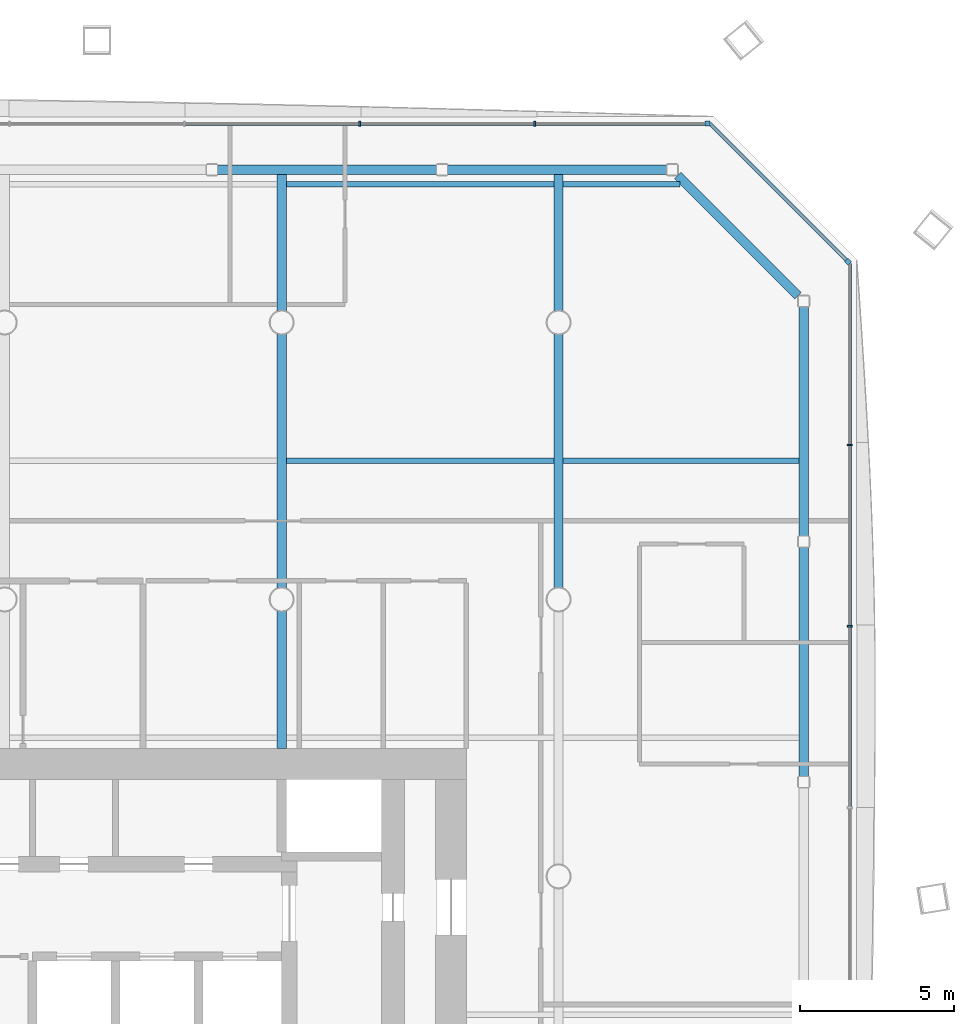
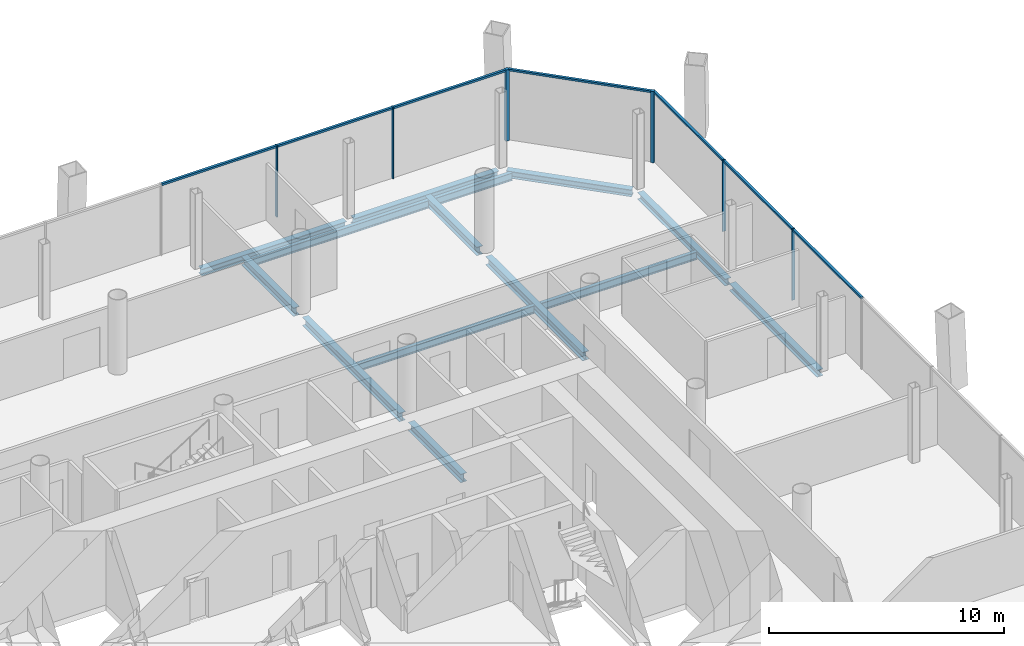
# One storey, part 9 of 19: 14 beams, 13 members, 3 elements without a shape of their own.
"""IFC4 building model written with IfcOpenShell, lengths in metres."""

from ifc_helpers import new_model, si_unit, direction, frame, origin, origin_2d, place, context, subcontext, project, spatial, rectangle, i_section, extrude, material, material_profile, profile_set, type_object, element, aggregate, save


model = new_model("IFC4")

# Units and contexts
model_context = context("Model", 3, precision=1e-05, world=origin(), true_north=direction((0.0, 1.0)))
body_context = subcontext(model_context, "Body", "Model", "MODEL_VIEW")
ifc_project = project(units=[si_unit("LENGTHUNIT", "METRE"), si_unit("AREAUNIT", "SQUARE_METRE"), si_unit("VOLUMEUNIT", "CUBIC_METRE"), si_unit("PLANEANGLEUNIT", "RADIAN"), si_unit("MASSUNIT", "GRAM", prefix="KILO")], contexts=[model_context])

# Site, building, storey
site_placement = place(None, origin())
site = spatial("IfcSite", under=ifc_project, at=site_placement, CompositionType="ELEMENT")
building_placement = place(site_placement, origin())
building = spatial("IfcBuilding", under=site, at=building_placement, Name="Tskaro Facet Tower", CompositionType="ELEMENT")
storey_placement = place(building_placement, frame((0.0, 0.0, 93.300048828125)))
storey = spatial("IfcBuildingStorey", under=building, at=storey_placement, Name="L22", CompositionType="ELEMENT", Elevation=93.300048828125)

# Curtain wall, member
ifc_material_1 = material(Name="Bronze anodised aluminium 6063-T6", Category="aluminium")
curtain_wall_type = type_object("IfcCurtainWallType", Name="Bronze office curtain wall (FW1)", PredefinedType="NOTDEFINED", material=ifc_material_1)
curtain_wall_1_placement = place(storey_placement, origin())
curtain_wall_1 = element("IfcCurtainWall", 1, at=curtain_wall_1_placement, inside=storey, type_object=curtain_wall_type, Name="FW1 north-east facet L22", PredefinedType="NOTDEFINED")
ifc_material_profile_1 = material_profile(ifc_material_1, rectangle(XDim=0.159912109375, YDim=0.159912109375, at=origin_2d()), Name="Corner post 160x160")
ifc_profile_set_1 = profile_set([ifc_material_profile_1], Name="Bronze anodised aluminium 6063-T6")
member_type_1 = type_object("IfcMemberType", Name="FW1 bronze corner post 160x160", PredefinedType="MULLION", material=ifc_profile_set_1)
member_1_placement = place(storey_placement, frame((27.406494140625, 19.969482421875, 0.0), z_axis=(0.0, 0.0, 1.0), x_axis=(-0.707106781187, 0.707106781187, 0.0)))
member_1 = element("IfcMember", 2, at=member_1_placement, type_object=member_type_1, Name="FW1 north-east corner post", PredefinedType="MULLION", context=body_context, shape_type="SweptSolid", body=[
    extrude(rectangle(XDim=0.159912109375, YDim=0.159912109375, at=origin_2d()), origin(), (0.0, 0.0, 1.0), 3.699951171875),
])

curtain_wall_2_placement = place(storey_placement, origin())
curtain_wall_2 = element("IfcCurtainWall", 3, at=curtain_wall_2_placement, inside=storey, type_object=curtain_wall_type, Name="FW1 north facet L22", PredefinedType="NOTDEFINED")
member_2_placement = place(storey_placement, frame((22.8330078125, 24.462890625, 0.0), z_axis=(0.0, 0.0, 1.0), x_axis=(-1.0, 0.0, 0.0)))
member_2 = element("IfcMember", 4, at=member_2_placement, type_object=member_type_1, Name="FW1 north corner post", PredefinedType="MULLION", context=body_context, shape_type="SweptSolid", body=[
    extrude(rectangle(XDim=0.159912109375, YDim=0.159912109375, at=origin_2d()), origin(), (0.0, 0.0, 1.0), 3.699951171875),
])

# Curtain wall, members
curtain_wall_3_placement = place(storey_placement, origin())
curtain_wall_3 = element("IfcCurtainWall", 5, at=curtain_wall_3_placement, inside=storey, type_object=curtain_wall_type, Name="FW1 east facet L22", PredefinedType="NOTDEFINED")
ifc_material_profile_2 = material_profile(ifc_material_1, rectangle(XDim=0.06005859375, YDim=0.159912109375, at=origin_2d()), Name="Mullion 60x160")
ifc_profile_set_2 = profile_set([ifc_material_profile_2], Name="Bronze anodised aluminium 6063-T6")
member_type_2 = type_object("IfcMemberType", Name="FW1 bronze mullion 60x160", PredefinedType="MULLION", material=ifc_profile_set_2)
member_3_placement = place(storey_placement, frame((27.462890625, 8.1240234375, 0.0), z_axis=(0.0, 0.0, 1.0), x_axis=(0.0, 1.0, 0.0)))
member_3 = element("IfcMember", 6, at=member_3_placement, type_object=member_type_2, Name="FW1 east mullion 5", PredefinedType="MULLION", context=body_context, shape_type="SweptSolid", body=[
    extrude(rectangle(XDim=0.06005859375, YDim=0.159912109375, at=origin_2d()), origin(), (0.0, 0.0, 1.0), 3.699951171875),
])
member_4_placement = place(storey_placement, frame((27.462890625, 14.0185546875, 0.0), z_axis=(0.0, 0.0, 1.0), x_axis=(0.0, 1.0, 0.0)))
member_4 = element("IfcMember", 7, at=member_4_placement, type_object=member_type_2, Name="FW1 east mullion 6", PredefinedType="MULLION", context=body_context, shape_type="SweptSolid", body=[
    extrude(rectangle(XDim=0.06005859375, YDim=0.159912109375, at=origin_2d()), origin(), (0.0, 0.0, 1.0), 3.699951171875),
])

# Member
member_5_placement = place(storey_placement, frame((17.2236328125, 24.462890625, 0.0), z_axis=(0.0, 0.0, 1.0), x_axis=(-1.0, 0.0, 0.0)))
member_5 = element("IfcMember", 8, at=member_5_placement, type_object=member_type_2, Name="FW1 north mullion 1", PredefinedType="MULLION", context=body_context, shape_type="SweptSolid", body=[
    extrude(rectangle(XDim=0.06005859375, YDim=0.159912109375, at=origin_2d()), origin(), (0.0, 0.0, 1.0), 3.699951171875),
])

member_6_placement = place(storey_placement, frame((11.5341796875, 24.462890625, 0.0), z_axis=(0.0, 0.0, 1.0), x_axis=(-1.0, 0.0, 0.0)))
member_6 = element("IfcMember", 9, at=member_6_placement, type_object=member_type_2, Name="FW1 north mullion 2", PredefinedType="MULLION", context=body_context, shape_type="SweptSolid", body=[
    extrude(rectangle(XDim=0.06005859375, YDim=0.159912109375, at=origin_2d()), origin(), (0.0, 0.0, 1.0), 3.699951171875),
])

ifc_material_profile_3 = material_profile(ifc_material_1, rectangle(XDim=0.1201171875, YDim=0.10009765625, at=origin_2d()), Name="Transom 120x100")
ifc_profile_set_3 = profile_set([ifc_material_profile_3], Name="Bronze anodised aluminium 6063-T6")
member_type_3 = type_object("IfcMemberType", Name="FW1 bronze transom 120x100", PredefinedType="USERDEFINED", material=ifc_profile_set_3)
member_7_placement = place(storey_placement, frame((27.462890625, 2.259765625, 3.64990234375), z_axis=(0.0, 1.0, 0.0), x_axis=(-1.0, 0.0, 0.0)))
member_7 = element("IfcMember", 10, at=member_7_placement, type_object=member_type_3, Name="FW1 east transom 5.1", ObjectType="TRANSOM", PredefinedType="USERDEFINED", context=body_context, shape_type="SweptSolid", body=[
    extrude(rectangle(XDim=0.1201171875, YDim=0.10009765625, at=origin_2d()), origin(), (0.0, 0.0, 1.0), 5.83447265625),
])

member_8_placement = place(storey_placement, frame((27.462890625, 8.154052734375, 3.64990234375), z_axis=(0.0, 1.0, 0.0), x_axis=(-1.0, 0.0, 0.0)))
member_8 = element("IfcMember", 11, at=member_8_placement, type_object=member_type_3, Name="FW1 east transom 6.1", ObjectType="TRANSOM", PredefinedType="USERDEFINED", context=body_context, shape_type="SweptSolid", body=[
    extrude(rectangle(XDim=0.1201171875, YDim=0.10009765625, at=origin_2d()), origin(), (0.0, 0.0, 1.0), 5.83447265625),
])

member_9_placement = place(storey_placement, frame((27.462890625, 14.048583984375, 3.64990234375), z_axis=(0.0, 1.0, 0.0), x_axis=(-1.0, 0.0, 0.0)))
member_9 = element("IfcMember", 12, at=member_9_placement, type_object=member_type_3, Name="FW1 east transom 7.1", ObjectType="TRANSOM", PredefinedType="USERDEFINED", context=body_context, shape_type="SweptSolid", body=[
    extrude(rectangle(XDim=0.1201171875, YDim=0.10009765625, at=origin_2d()), origin(), (0.0, 0.0, 1.0), 5.864501953125),
])

aggregate(curtain_wall_3, [member_3, member_4, member_7, member_8, member_9])

member_10_placement = place(storey_placement, frame((27.349853515625, 20.026123046875, 3.64990234375), z_axis=(-0.707106781187, 0.707106781187, 0.0), x_axis=(-0.707106781187, -0.707106781187, 0.0)))
member_10 = element("IfcMember", 13, at=member_10_placement, type_object=member_type_3, Name="FW1 north-east transom 1.1", ObjectType="TRANSOM", PredefinedType="USERDEFINED", context=body_context, shape_type="SweptSolid", body=[
    extrude(rectangle(XDim=0.1201171875, YDim=0.10009765625, at=origin_2d()), origin(), (0.0, 0.0, 1.0), 6.274658203125),
])

aggregate(curtain_wall_1, [member_1, member_10])

member_11_placement = place(storey_placement, frame((22.7529296875, 24.462890625, 3.64990234375), z_axis=(-1.0, 0.0, 0.0), x_axis=(0.0, -1.0, 0.0)))
member_11 = element("IfcMember", 14, at=member_11_placement, type_object=member_type_3, Name="FW1 north transom 1.1", ObjectType="TRANSOM", PredefinedType="USERDEFINED", context=body_context, shape_type="SweptSolid", body=[
    extrude(rectangle(XDim=0.1201171875, YDim=0.10009765625, at=origin_2d()), origin(), (0.0, 0.0, 1.0), 5.499267578125),
])

member_12_placement = place(storey_placement, frame((17.193603515625, 24.462890625, 3.64990234375), z_axis=(-1.0, 0.0, 0.0), x_axis=(0.0, -1.0, 0.0)))
member_12 = element("IfcMember", 15, at=member_12_placement, type_object=member_type_3, Name="FW1 north transom 2.1", ObjectType="TRANSOM", PredefinedType="USERDEFINED", context=body_context, shape_type="SweptSolid", body=[
    extrude(rectangle(XDim=0.1201171875, YDim=0.10009765625, at=origin_2d()), origin(), (0.0, 0.0, 1.0), 5.62939453125),
])

member_13_placement = place(storey_placement, frame((11.504150390625, 24.462890625, 3.64990234375), z_axis=(-1.0, 0.0, 0.0), x_axis=(0.0, -1.0, 0.0)))
member_13 = element("IfcMember", 16, at=member_13_placement, type_object=member_type_3, Name="FW1 north transom 3.1", ObjectType="TRANSOM", PredefinedType="USERDEFINED", context=body_context, shape_type="SweptSolid", body=[
    extrude(rectangle(XDim=0.1201171875, YDim=0.10009765625, at=origin_2d()), origin(), (0.0, 0.0, 1.0), 5.62939453125),
])

aggregate(curtain_wall_2, [member_2, member_5, member_6, member_11, member_12, member_13])

# Beams
ifc_material_2 = material(Name="Steel S355J2", Category="steel")
ifc_material_profile_4 = material_profile(ifc_material_2, i_section(OverallWidth=0.300048828125, OverallDepth=0.360107421875, WebThickness=0.012451171875, FlangeThickness=0.0224609375, FilletRadius=0.027099609375, at=origin_2d()), Name="HE 360 B")
ifc_profile_set_4 = profile_set([ifc_material_profile_4], Name="Steel S355J2")
beam_type_1 = type_object("IfcBeamType", Name="HE 360 B ring beam", PredefinedType="BEAM", material=ifc_profile_set_4)
for number, where, z_axis, x_axis, name in (
    (17, (25.965087890625, 3.248046875, -0.320068359375), (0.0, 1.0, 0.0), (-1.0, 0.0, 0.0), "HE 360 B EB10-2"),
    (18, (25.965087890625, 11.05908203125, -0.320068359375), (0.0, 1.0, 0.0), (-1.0, 0.0, 0.0), "HE 360 B EB11-2"),
):
    element("IfcBeam", number, at=place(storey_placement, frame(where, z_axis=z_axis, x_axis=x_axis)), inside=storey, type_object=beam_type_1, Name=name, PredefinedType="BEAM", context=body_context, shape_type="SweptSolid", body=[
        extrude(i_section(OverallWidth=0.300048828125, OverallDepth=0.360107421875, WebThickness=0.012451171875, FlangeThickness=0.0224609375, FilletRadius=0.027099609375, at=origin_2d()), origin(), (0.0, 0.0, 1.0), 7.450927734375),
    ])
beam_1_placement = place(storey_placement, frame((25.779052734375, 18.8759765625, -0.320068359375), z_axis=(-0.707106781187, 0.707106781187, 0.0), x_axis=(-0.707106781187, -0.707106781187, 0.0)))
element("IfcBeam", 19, at=beam_1_placement, inside=storey, type_object=beam_type_1, Name="HE 360 B EB12-2", PredefinedType="BEAM", context=body_context, shape_type="SweptSolid", body=[
    extrude(i_section(OverallWidth=0.300048828125, OverallDepth=0.360107421875, WebThickness=0.012451171875, FlangeThickness=0.0224609375, FilletRadius=0.027099609375, at=origin_2d()), origin(), (0.0, 0.0, 1.0), 5.519775390625),
])
for number, where, z_axis, x_axis, name in (
    (20, (21.510009765625, 22.965087890625, -0.320068359375), (-1.0, 0.0, 0.0), (0.0, -1.0, 0.0), "HE 360 B EB13-2"),
    (21, (14.033935546875, 22.965087890625, -0.320068359375), (-1.0, 0.0, 0.0), (0.0, -1.0, 0.0), "HE 360 B EB14-2"),
):
    element("IfcBeam", number, at=place(storey_placement, frame(where, z_axis=z_axis, x_axis=x_axis)), inside=storey, type_object=beam_type_1, Name=name, PredefinedType="BEAM", context=body_context, shape_type="SweptSolid", body=[
        extrude(i_section(OverallWidth=0.300048828125, OverallDepth=0.360107421875, WebThickness=0.012451171875, FlangeThickness=0.0224609375, FilletRadius=0.027099609375, at=origin_2d()), origin(), (0.0, 0.0, 1.0), 7.115966796875),
    ])
ifc_material_profile_5 = material_profile(ifc_material_2, i_section(OverallWidth=0.300048828125, OverallDepth=0.43994140625, WebThickness=0.011474609375, FlangeThickness=0.02099609375, FilletRadius=0.027099609375, at=origin_2d()), Name="HE 450 A")
ifc_profile_set_5 = profile_set([ifc_material_profile_5], Name="Steel S355J2")
beam_type_2 = type_object("IfcBeamType", Name="HE 450 A girder", PredefinedType="BEAM", material=ifc_profile_set_5)
beam_2_placement = place(storey_placement, frame((9.0, 4.14990234375, -0.360107421875), z_axis=(0.0, 1.0, 0.0), x_axis=(-1.0, 0.0, 0.0)))
element("IfcBeam", 22, at=beam_2_placement, inside=storey, type_object=beam_type_2, Name="HE 450 A GB5-3-2", PredefinedType="BEAM", context=body_context, shape_type="SweptSolid", body=[
    extrude(i_section(OverallWidth=0.300048828125, OverallDepth=0.43994140625, WebThickness=0.011474609375, FlangeThickness=0.02099609375, FilletRadius=0.027099609375, at=origin_2d()), origin(), (0.0, 0.0, 1.0), 4.4736328125),
])
beam_3_placement = place(storey_placement, frame((9.0, 9.37646484375, -0.360107421875), z_axis=(0.0, 1.0, 0.0), x_axis=(-1.0, 0.0, 0.0)))
element("IfcBeam", 23, at=beam_3_placement, inside=storey, type_object=beam_type_2, Name="HE 450 A GB5-4-2", PredefinedType="BEAM", context=body_context, shape_type="SweptSolid", body=[
    extrude(i_section(OverallWidth=0.300048828125, OverallDepth=0.43994140625, WebThickness=0.011474609375, FlangeThickness=0.02099609375, FilletRadius=0.027099609375, at=origin_2d()), origin(), (0.0, 0.0, 1.0), 8.2470703125),
])
beam_4_placement = place(storey_placement, frame((9.0, 18.37646484375, -0.360107421875), z_axis=(0.0, 1.0, 0.0), x_axis=(-1.0, 0.0, 0.0)))
element("IfcBeam", 24, at=beam_4_placement, inside=storey, type_object=beam_type_2, Name="HE 450 A GB5-5-2", PredefinedType="BEAM", context=body_context, shape_type="SweptSolid", body=[
    extrude(i_section(OverallWidth=0.300048828125, OverallDepth=0.43994140625, WebThickness=0.011474609375, FlangeThickness=0.02099609375, FilletRadius=0.027099609375, at=origin_2d()), origin(), (0.0, 0.0, 1.0), 4.4384765625),
])
beam_5_placement = place(storey_placement, frame((18.0, 9.37646484375, -0.360107421875), z_axis=(0.0, 1.0, 0.0), x_axis=(-1.0, 0.0, 0.0)))
element("IfcBeam", 25, at=beam_5_placement, inside=storey, type_object=beam_type_2, Name="HE 450 A GB6-5-2", PredefinedType="BEAM", context=body_context, shape_type="SweptSolid", body=[
    extrude(i_section(OverallWidth=0.300048828125, OverallDepth=0.43994140625, WebThickness=0.011474609375, FlangeThickness=0.02099609375, FilletRadius=0.027099609375, at=origin_2d()), origin(), (0.0, 0.0, 1.0), 8.2470703125),
])
beam_6_placement = place(storey_placement, frame((18.0, 18.37646484375, -0.360107421875), z_axis=(0.0, 1.0, 0.0), x_axis=(-1.0, 0.0, 0.0)))
element("IfcBeam", 26, at=beam_6_placement, inside=storey, type_object=beam_type_2, Name="HE 450 A GB6-6-2", PredefinedType="BEAM", context=body_context, shape_type="SweptSolid", body=[
    extrude(i_section(OverallWidth=0.300048828125, OverallDepth=0.43994140625, WebThickness=0.011474609375, FlangeThickness=0.02099609375, FilletRadius=0.027099609375, at=origin_2d()), origin(), (0.0, 0.0, 1.0), 4.4384765625),
])
ifc_material_profile_6 = material_profile(ifc_material_2, i_section(OverallWidth=0.179931640625, OverallDepth=0.39990234375, WebThickness=0.008544921875, FlangeThickness=0.013427734375, FilletRadius=0.02099609375, at=origin_2d()), Name="IPE 400")
ifc_profile_set_6 = profile_set([ifc_material_profile_6], Name="Steel S355J2")
beam_type_3 = type_object("IfcBeamType", Name="IPE 400 secondary beam", PredefinedType="BEAM", material=ifc_profile_set_6)
beam_7_placement = place(storey_placement, frame((9.14990234375, 13.5, -0.340087890625), z_axis=(1.0, 0.0, 0.0), x_axis=(0.0, 1.0, 0.0)))
element("IfcBeam", 27, at=beam_7_placement, inside=storey, type_object=beam_type_3, Name="IPE 400 SB5a-4-2", PredefinedType="BEAM", context=body_context, shape_type="SweptSolid", body=[
    extrude(i_section(OverallWidth=0.179931640625, OverallDepth=0.39990234375, WebThickness=0.008544921875, FlangeThickness=0.013427734375, FilletRadius=0.02099609375, at=origin_2d()), origin(), (0.0, 0.0, 1.0), 8.7001953125),
])
beam_8_placement = place(storey_placement, frame((18.14990234375, 13.5, -0.340087890625), z_axis=(1.0, 0.0, 0.0), x_axis=(0.0, 1.0, 0.0)))
element("IfcBeam", 28, at=beam_8_placement, inside=storey, type_object=beam_type_3, Name="IPE 400 SB5a-5-2", PredefinedType="BEAM", context=body_context, shape_type="SweptSolid", body=[
    extrude(i_section(OverallWidth=0.179931640625, OverallDepth=0.39990234375, WebThickness=0.008544921875, FlangeThickness=0.013427734375, FilletRadius=0.02099609375, at=origin_2d()), origin(), (0.0, 0.0, 1.0), 7.6650390625),
])
beam_9_placement = place(storey_placement, frame((9.14990234375, 22.5, -0.340087890625), z_axis=(1.0, 0.0, 0.0), x_axis=(0.0, 1.0, 0.0)))
element("IfcBeam", 29, at=beam_9_placement, inside=storey, type_object=beam_type_3, Name="IPE 400 SB6a-4-2", PredefinedType="BEAM", context=body_context, shape_type="SweptSolid", body=[
    extrude(i_section(OverallWidth=0.179931640625, OverallDepth=0.39990234375, WebThickness=0.008544921875, FlangeThickness=0.013427734375, FilletRadius=0.02099609375, at=origin_2d()), origin(), (0.0, 0.0, 1.0), 8.7001953125),
])
beam_10_placement = place(storey_placement, frame((18.14990234375, 22.5, -0.340087890625), z_axis=(1.0, 0.0, 0.0), x_axis=(0.0, 1.0, 0.0)))
element("IfcBeam", 30, at=beam_10_placement, inside=storey, type_object=beam_type_3, Name="IPE 400 SB6a-5-2", PredefinedType="BEAM", context=body_context, shape_type="SweptSolid", body=[
    extrude(i_section(OverallWidth=0.179931640625, OverallDepth=0.39990234375, WebThickness=0.008544921875, FlangeThickness=0.013427734375, FilletRadius=0.02099609375, at=origin_2d()), origin(), (0.0, 0.0, 1.0), 3.793212890625),
])

save(model, "model.ifc")
